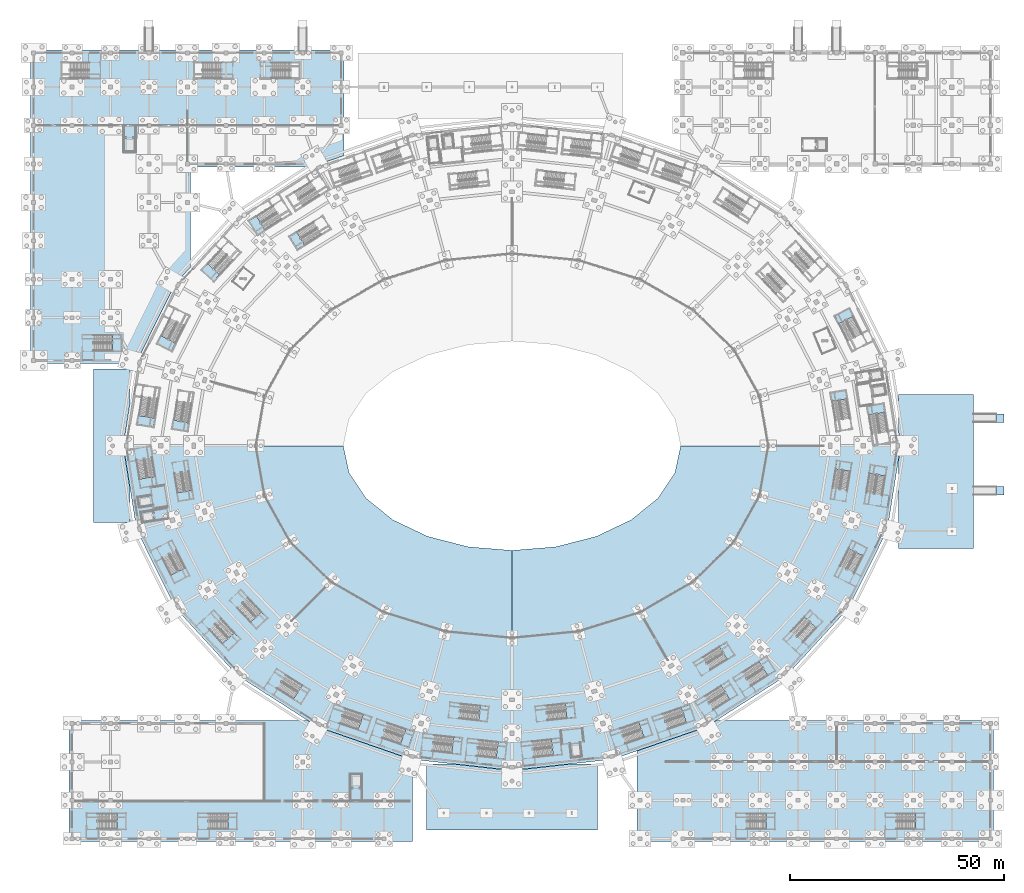
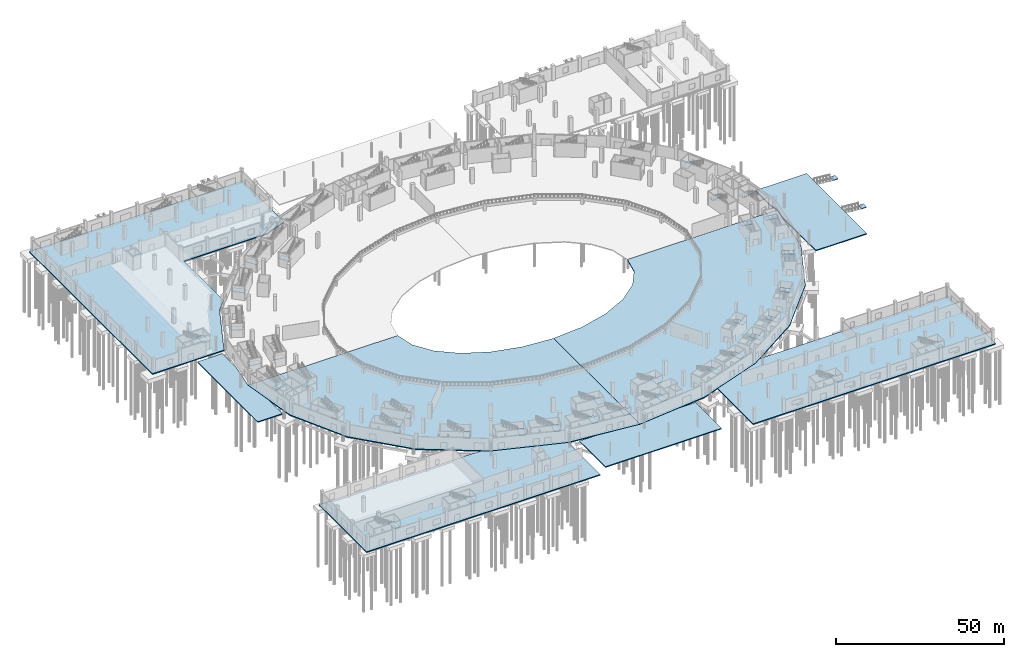
# One storey, part 28 of 103: 46 slabs, 38 elements without a shape of their own.
"""IFC4 building model written with IfcOpenShell, lengths in metres."""

from ifc_helpers import new_model, si_unit, direction, frame, origin, place, context, subcontext, project, spatial, polyline, outline, extrude, material, layer, layer_set, type_object, element, aggregate, save


model = new_model("IFC4")

# Units and contexts
model_context = context("Model", 3, precision=1e-05, world=origin(), true_north=direction((0.0, 1.0)))
body_context = subcontext(model_context, "Body", "Model", "MODEL_VIEW")
ifc_project = project(units=[si_unit("LENGTHUNIT", "METRE"), si_unit("AREAUNIT", "SQUARE_METRE"), si_unit("VOLUMEUNIT", "CUBIC_METRE"), si_unit("PLANEANGLEUNIT", "RADIAN"), si_unit("MASSUNIT", "GRAM", prefix="KILO")], contexts=[model_context])

# Site, building, storey
site_placement = place(None, origin())
site = spatial("IfcSite", under=ifc_project, at=site_placement, CompositionType="ELEMENT")
building_placement = place(site_placement, origin())
building = spatial("IfcBuilding", under=site, at=building_placement, Name="Zevraka Park Crest Stadium", CompositionType="ELEMENT")
storey_placement = place(building_placement, origin())
storey = spatial("IfcBuildingStorey", under=building, at=storey_placement, Name="L00", CompositionType="ELEMENT", Elevation=0.0)

# Slabs
ifc_material_1 = material(Name="Concrete C35/45", Category="concrete")
ifc_layer_1 = layer(ifc_material_1, 0.35009765625)
ifc_layer_set_1 = layer_set([ifc_layer_1], Name="Concrete C35/45")
slab_type_1 = type_object("IfcSlabType", Name="BS01", PredefinedType="BASESLAB", material=ifc_layer_set_1)
slab_1_placement = place(storey_placement, frame((0.0, 0.0, -0.35009765625)))
element("IfcSlab", 1, at=slab_1_placement, inside=storey, type_object=slab_type_1, Name="Bowl Concourse Ring Slab L00 Q3-SW-1", PredefinedType="BASESLAB", context=body_context, shape_type="SweptSolid", body=[
    extrude(outline(polyline([(72.5, 92.0), (73.845947265625, 85.658935546875), (77.7919921875, 79.75), (84.069091796875, 74.676025390625), (92.25, 70.781982421875), (101.777099609375, 68.3349609375), (112.0, 67.5), (112.0, 16.0), (88.447021484375, 18.590087890625), (66.5, 26.181884765625), (47.653076171875, 38.260009765625), (33.19189453125, 54.0), (24.10107421875, 72.330078125), (21.0, 92.0), (72.5, 92.0)])), origin(), (0.0, 0.0, 1.0), 0.35009765625),
])
slab_2_placement = place(storey_placement, frame((0.0, 0.0, -0.35009765625)))
element("IfcSlab", 2, at=slab_2_placement, inside=storey, type_object=slab_type_1, Name="Bowl Concourse Ring Slab L00 Q4-SE-1", PredefinedType="BASESLAB", context=body_context, shape_type="SweptSolid", body=[
    extrude(outline(polyline([(112.0, 67.5), (122.222900390625, 68.3349609375), (131.75, 70.781982421875), (139.930908203125, 74.676025390625), (146.2080078125, 79.75), (150.154052734375, 85.658935546875), (151.5, 92.0), (203.0, 92.0), (199.89892578125, 72.330078125), (190.80810546875, 54.0), (176.346923828125, 38.260009765625), (157.5, 26.181884765625), (135.552978515625, 18.590087890625), (112.0, 16.0), (112.0, 67.5)])), origin(), (0.0, 0.0, 1.0), 0.35009765625),
])
slab_3_placement = place(storey_placement, frame((0.0, 0.0, -0.35009765625)))
element("IfcSlab", 3, at=slab_3_placement, inside=storey, type_object=slab_type_1, Name="Northwest Garden-Court Shaded Veranda and Community Sports Wing Floor Slab L00-1", PredefinedType="BASESLAB", context=body_context, shape_type="SweptSolid", body=[
    extrude(outline(polyline([(-0.699951171875, 111.300048828125), (-0.699951171875, 184.699951171875), (72.699951171875, 184.699951171875), (72.699951171875, 159.968017578125), (66.498046875, 157.822998046875), (65.681884765625, 157.300048828125), (36.699951171875, 157.300048828125), (36.699951171875, 133.825927734375), (33.18798828125, 130.0029296875), (24.096923828125, 111.672119140625), (24.0380859375, 111.300048828125), (-0.699951171875, 111.300048828125)])), origin(), (0.0, 0.0, 1.0), 0.35009765625),
])
ifc_material_2 = material(Name="Concrete C35/45", Category="concrete")
ifc_layer_2 = layer(ifc_material_2, 0.35009765625)
ifc_layer_set_2 = layer_set([ifc_layer_2], Name="Concrete C35/45")
slab_type_2 = type_object("IfcSlabType", Name="BS02", PredefinedType="BASESLAB", material=ifc_layer_set_2)
slab_4_placement = place(storey_placement, frame((0.0, 0.0, -0.35009765625)))
element("IfcSlab", 4, at=slab_4_placement, inside=storey, type_object=slab_type_2, Name="Exterior Arrival Colonnade Plinth APR-L00-EAST", PredefinedType="BASESLAB", context=body_context, shape_type="SweptSolid", body=[
    extrude(outline(polyline([(202.5, 104.0), (220.050048828125, 104.0), (220.050048828125, 68.0), (202.5, 68.0), (202.5, 88.66796875), (203.02490234375, 91.9990234375), (202.5, 95.33203125), (202.5, 104.0)])), origin(), (0.0, 0.0, 1.0), 0.35009765625),
])
slab_5_placement = place(storey_placement, frame((0.0, 0.0, -0.35009765625)))
element("IfcSlab", 5, at=slab_5_placement, inside=storey, type_object=slab_type_2, Name="Exterior Arrival Colonnade Plinth APR-L00-WEST", PredefinedType="BASESLAB", context=body_context, shape_type="SweptSolid", body=[
    extrude(outline(polyline([(22.5, 74.0), (14.0, 74.0), (14.0, 110.0), (22.5, 110.0), (22.5, 101.675048828125), (20.97509765625, 92.0009765625), (22.5, 82.324951171875), (22.5, 74.0)])), origin(), (0.0, 0.0, 1.0), 0.35009765625),
])
slab_6_placement = place(storey_placement, frame((0.0, 0.0, -0.35009765625)))
element("IfcSlab", 6, at=slab_6_placement, inside=storey, type_object=slab_type_2, Name="Exterior Arrival Colonnade Plinth APR-L00-SOUTH", PredefinedType="BASESLAB", context=body_context, shape_type="SweptSolid", body=[
    extrude(outline(polyline([(132.0, 17.5), (132.0, 2.0), (92.0, 2.0), (92.0, 17.5), (98.131103515625, 17.5), (112.0, 15.97509765625), (125.868896484375, 17.5), (132.0, 17.5)])), origin(), (0.0, 0.0, 1.0), 0.35009765625),
])
ifc_material_3 = material(Name="Concrete C35/45", Category="concrete")
ifc_layer_3 = layer(ifc_material_3, 0.320068359375)
ifc_layer_set_3 = layer_set([ifc_layer_3], Name="Concrete C35/45")
slab_type_3 = type_object("IfcSlabType", Name="BS03", PredefinedType="BASESLAB", material=ifc_layer_set_3)
slab_7_placement = place(storey_placement, frame((0.0, 0.0, -0.35009765625)))
element("IfcSlab", 7, at=slab_7_placement, inside=storey, type_object=slab_type_3, Name="South Street Broadcast, Press Auditorium and Central Plant Wing Floor Slab L00-1", PredefinedType="BASESLAB", context=body_context, shape_type="SweptSolid", body=[
    extrude(outline(polyline([(64.1220703125, 27.699951171875), (66.498046875, 26.177001953125), (88.445068359375, 18.5849609375), (88.699951171875, 18.556884765625), (88.699951171875, -0.699951171875), (8.300048828125, -0.699951171875), (8.300048828125, 27.699951171875), (64.1220703125, 27.699951171875)])), origin(), (0.0, 0.0, 1.0), 0.35009765625),
])
slab_8_placement = place(storey_placement, frame((0.0, 0.0, -0.35009765625)))
element("IfcSlab", 8, at=slab_8_placement, inside=storey, type_object=slab_type_3, Name="South Street Broadcast, Press Auditorium and Central Plant Wing Floor Slab L00-2", PredefinedType="BASESLAB", context=body_context, shape_type="SweptSolid", body=[
    extrude(outline(polyline([(224.699951171875, 27.699951171875), (224.699951171875, -0.699951171875), (141.300048828125, -0.699951171875), (141.300048828125, 20.572998046875), (157.501953125, 26.177001953125), (159.8779296875, 27.699951171875), (224.699951171875, 27.699951171875)])), origin(), (0.0, 0.0, 1.0), 0.35009765625),
])

# Stair, slab
ifc_material_4 = material(Name="Concrete C35/45", Category="concrete")
stair_type_1 = type_object("IfcStairType", Name="STA1", PredefinedType="HALF_TURN_STAIR", material=ifc_material_4)
stair_1_placement = place(storey_placement, origin())
stair_1 = element("IfcStair", 9, at=stair_1_placement, inside=storey, type_object=stair_type_1, Name="L00 Protected Concourse Exit Stair ST01", PredefinedType="HALF_TURN_STAIR")
ifc_material_5 = material(Name="Concrete C35/45", Category="concrete")
ifc_layer_4 = layer(ifc_material_5, 0.199951171875)
ifc_layer_set_4 = layer_set([ifc_layer_4], Name="Concrete C35/45")
slab_type_4 = type_object("IfcSlabType", Name="LS01", PredefinedType="LANDING", material=ifc_layer_set_4)
slab_9_placement = place(storey_placement, frame((0.0, 0.0, 2.5)))
slab_9 = element("IfcSlab", 10, at=slab_9_placement, type_object=slab_type_4, Name="ST01 landing 1", PredefinedType="LANDING", context=body_context, shape_type="SweptSolid", body=[
    extrude(outline(polyline([(199.25927734375, 99.808349609375), (198.94482421875, 101.783447265625), (195.2314453125, 101.192138671875), (195.546142578125, 99.217041015625), (199.25927734375, 99.808349609375)])), origin(), (0.0, 0.0, 1.0), 0.199951171875),
])
aggregate(stair_1, [slab_9])

stair_2_placement = place(storey_placement, origin())
stair_2 = element("IfcStair", 11, at=stair_2_placement, inside=storey, type_object=stair_type_1, Name="L00 Protected Concourse Exit Stair ST02", PredefinedType="HALF_TURN_STAIR")
slab_10_placement = place(storey_placement, frame((0.0, 0.0, 2.5)))
slab_10 = element("IfcSlab", 12, at=slab_10_placement, type_object=slab_type_4, Name="ST02 landing 1", PredefinedType="LANDING", context=body_context, shape_type="SweptSolid", body=[
    extrude(outline(polyline([(191.873291015625, 122.26513671875), (190.977294921875, 124.053466796875), (187.61572265625, 122.369140625), (188.511474609375, 120.5810546875), (191.873291015625, 122.26513671875)])), origin(), (0.0, 0.0, 1.0), 0.199951171875),
])
aggregate(stair_2, [slab_10])

stair_3_placement = place(storey_placement, origin())
stair_3 = element("IfcStair", 13, at=stair_3_placement, inside=storey, type_object=stair_type_1, Name="L00 Protected Concourse Exit Stair ST10", PredefinedType="HALF_TURN_STAIR")
slab_11_placement = place(storey_placement, frame((0.0, 0.0, 2.5)))
slab_11 = element("IfcSlab", 14, at=slab_11_placement, type_object=slab_type_4, Name="ST10 landing 1", PredefinedType="LANDING", context=body_context, shape_type="SweptSolid", body=[
    extrude(outline(polyline([(40.787109375, 134.642578125), (39.4267578125, 133.176513671875), (42.1826171875, 130.618896484375), (43.543212890625, 132.084716796875), (40.787109375, 134.642578125)])), origin(), (0.0, 0.0, 1.0), 0.199951171875),
])
aggregate(stair_3, [slab_11])

stair_4_placement = place(storey_placement, origin())
stair_4 = element("IfcStair", 15, at=stair_4_placement, inside=storey, type_object=stair_type_1, Name="L00 Protected Concourse Exit Stair ST11", PredefinedType="HALF_TURN_STAIR")
slab_12_placement = place(storey_placement, frame((0.0, 0.0, 2.5)))
slab_12 = element("IfcSlab", 16, at=slab_12_placement, type_object=slab_type_4, Name="ST11 landing 1", PredefinedType="LANDING", context=body_context, shape_type="SweptSolid", body=[
    extrude(outline(polyline([(29.865234375, 117.750732421875), (28.969482421875, 115.962646484375), (32.3310546875, 114.278564453125), (33.226806640625, 116.066650390625), (29.865234375, 117.750732421875)])), origin(), (0.0, 0.0, 1.0), 0.199951171875),
])
aggregate(stair_4, [slab_12])

stair_5_placement = place(storey_placement, origin())
stair_5 = element("IfcStair", 17, at=stair_5_placement, inside=storey, type_object=stair_type_1, Name="L00 Protected Concourse Exit Stair ST12", PredefinedType="HALF_TURN_STAIR")
slab_13_placement = place(storey_placement, frame((0.0, 0.0, 2.5)))
slab_13 = element("IfcSlab", 18, at=slab_13_placement, type_object=slab_type_4, Name="ST12 landing 1", PredefinedType="LANDING", context=body_context, shape_type="SweptSolid", body=[
    extrude(outline(polyline([(24.622314453125, 99.067626953125), (24.307861328125, 97.092529296875), (28.02099609375, 96.501220703125), (28.33544921875, 98.476318359375), (24.622314453125, 99.067626953125)])), origin(), (0.0, 0.0, 1.0), 0.199951171875),
])
aggregate(stair_5, [slab_13])

stair_6_placement = place(storey_placement, origin())
stair_6 = element("IfcStair", 19, at=stair_6_placement, inside=storey, type_object=stair_type_1, Name="L00 Protected Concourse Exit Stair ST13", PredefinedType="HALF_TURN_STAIR")
slab_14_placement = place(storey_placement, frame((0.0, 0.0, 2.5)))
slab_14 = element("IfcSlab", 20, at=slab_14_placement, type_object=slab_type_4, Name="ST13 landing 1", PredefinedType="LANDING", context=body_context, shape_type="SweptSolid", body=[
    extrude(outline(polyline([(24.74072265625, 84.191650390625), (25.05517578125, 82.216552734375), (28.7685546875, 82.807861328125), (28.453857421875, 84.782958984375), (24.74072265625, 84.191650390625)])), origin(), (0.0, 0.0, 1.0), 0.199951171875),
])
aggregate(stair_6, [slab_14])

stair_7_placement = place(storey_placement, origin())
stair_7 = element("IfcStair", 21, at=stair_7_placement, inside=storey, type_object=stair_type_1, Name="L00 Protected Concourse Exit Stair ST14", PredefinedType="HALF_TURN_STAIR")
slab_15_placement = place(storey_placement, frame((0.0, 0.0, 2.5)))
slab_15 = element("IfcSlab", 22, at=slab_15_placement, type_object=slab_type_4, Name="ST14 landing 1", PredefinedType="LANDING", context=body_context, shape_type="SweptSolid", body=[
    extrude(outline(polyline([(32.126708984375, 61.73486328125), (33.022705078125, 59.946533203125), (36.38427734375, 61.630859375), (35.488525390625, 63.4189453125), (32.126708984375, 61.73486328125)])), origin(), (0.0, 0.0, 1.0), 0.199951171875),
])
aggregate(stair_7, [slab_15])

stair_8_placement = place(storey_placement, origin())
stair_8 = element("IfcStair", 23, at=stair_8_placement, inside=storey, type_object=stair_type_1, Name="L00 Protected Concourse Exit Stair ST15", PredefinedType="HALF_TURN_STAIR")
slab_16_placement = place(storey_placement, frame((0.0, 0.0, 2.5)))
slab_16 = element("IfcSlab", 24, at=slab_16_placement, type_object=slab_type_4, Name="ST15 landing 1", PredefinedType="LANDING", context=body_context, shape_type="SweptSolid", body=[
    extrude(outline(polyline([(44.222900390625, 45.656494140625), (45.583251953125, 44.190673828125), (48.33935546875, 46.748291015625), (46.978759765625, 48.21435546875), (44.222900390625, 45.656494140625)])), origin(), (0.0, 0.0, 1.0), 0.199951171875),
])
aggregate(stair_8, [slab_16])

stair_9_placement = place(storey_placement, origin())
stair_9 = element("IfcStair", 25, at=stair_9_placement, inside=storey, type_object=stair_type_1, Name="L00 Protected Concourse Exit Stair ST16", PredefinedType="HALF_TURN_STAIR")
slab_17_placement = place(storey_placement, frame((0.0, 0.0, 2.5)))
slab_17 = element("IfcSlab", 26, at=slab_17_placement, type_object=slab_type_4, Name="ST16 landing 1", PredefinedType="LANDING", context=body_context, shape_type="SweptSolid", body=[
    extrude(outline(polyline([(60.85693359375, 32.7421875), (62.5458984375, 31.670654296875), (64.56005859375, 34.845703125), (62.871337890625, 35.917236328125), (60.85693359375, 32.7421875)])), origin(), (0.0, 0.0, 1.0), 0.199951171875),
])
aggregate(stair_9, [slab_17])

stair_10_placement = place(storey_placement, origin())
stair_10 = element("IfcStair", 27, at=stair_10_placement, inside=storey, type_object=stair_type_1, Name="L00 Protected Concourse Exit Stair ST17", PredefinedType="HALF_TURN_STAIR")
slab_18_placement = place(storey_placement, frame((0.0, 0.0, 2.5)))
slab_18 = element("IfcSlab", 28, at=slab_18_placement, type_object=slab_type_4, Name="ST17 landing 1", PredefinedType="LANDING", context=body_context, shape_type="SweptSolid", body=[
    extrude(outline(polyline([(75.955810546875, 25.52001953125), (77.847900390625, 24.8720703125), (79.06591796875, 28.42919921875), (77.173828125, 29.0771484375), (75.955810546875, 25.52001953125)])), origin(), (0.0, 0.0, 1.0), 0.199951171875),
])
aggregate(stair_10, [slab_18])

stair_11_placement = place(storey_placement, origin())
stair_11 = element("IfcStair", 29, at=stair_11_placement, inside=storey, type_object=stair_type_1, Name="L00 Protected Concourse Exit Stair ST18", PredefinedType="HALF_TURN_STAIR")
slab_19_placement = place(storey_placement, frame((0.0, 0.0, 2.5)))
slab_19 = element("IfcSlab", 30, at=slab_19_placement, type_object=slab_type_4, Name="ST18 landing 1", PredefinedType="LANDING", context=body_context, shape_type="SweptSolid", body=[
    extrude(outline(polyline([(97.880615234375, 20.046142578125), (99.868896484375, 19.82958984375), (100.275634765625, 23.567626953125), (98.28759765625, 23.783935546875), (97.880615234375, 20.046142578125)])), origin(), (0.0, 0.0, 1.0), 0.199951171875),
])
aggregate(stair_11, [slab_19])

stair_12_placement = place(storey_placement, origin())
stair_12 = element("IfcStair", 31, at=stair_12_placement, inside=storey, type_object=stair_type_1, Name="L00 Protected Concourse Exit Stair ST19", PredefinedType="HALF_TURN_STAIR")
slab_20_placement = place(storey_placement, frame((0.0, 0.0, 2.5)))
slab_20 = element("IfcSlab", 32, at=slab_20_placement, type_object=slab_type_4, Name="ST19 landing 1", PredefinedType="LANDING", context=body_context, shape_type="SweptSolid", body=[
    extrude(outline(polyline([(121.6455078125, 19.558837890625), (123.6337890625, 19.775390625), (123.22705078125, 23.51318359375), (121.23876953125, 23.296875), (121.6455078125, 19.558837890625)])), origin(), (0.0, 0.0, 1.0), 0.199951171875),
])
aggregate(stair_12, [slab_20])

stair_13_placement = place(storey_placement, origin())
stair_13 = element("IfcStair", 33, at=stair_13_placement, inside=storey, type_object=stair_type_1, Name="L00 Protected Concourse Exit Stair ST20", PredefinedType="HALF_TURN_STAIR")
slab_21_placement = place(storey_placement, frame((0.0, 0.0, 2.5)))
slab_21 = element("IfcSlab", 34, at=slab_21_placement, type_object=slab_type_4, Name="ST20 landing 1", PredefinedType="LANDING", context=body_context, shape_type="SweptSolid", body=[
    extrude(outline(polyline([(142.8876953125, 23.755126953125), (144.77978515625, 24.403076171875), (143.561767578125, 27.960205078125), (141.669677734375, 27.312255859375), (142.8876953125, 23.755126953125)])), origin(), (0.0, 0.0, 1.0), 0.199951171875),
])
aggregate(stair_13, [slab_21])

stair_14_placement = place(storey_placement, origin())
stair_14 = element("IfcStair", 35, at=stair_14_placement, inside=storey, type_object=stair_type_1, Name="L00 Protected Concourse Exit Stair ST21", PredefinedType="HALF_TURN_STAIR")
slab_22_placement = place(storey_placement, frame((0.0, 0.0, 2.5)))
slab_22 = element("IfcSlab", 36, at=slab_22_placement, type_object=slab_type_4, Name="ST21 landing 1", PredefinedType="LANDING", context=body_context, shape_type="SweptSolid", body=[
    extrude(outline(polyline([(162.97412109375, 32.634765625), (164.662841796875, 33.706298828125), (162.6484375, 36.881103515625), (160.959716796875, 35.809814453125), (162.97412109375, 32.634765625)])), origin(), (0.0, 0.0, 1.0), 0.199951171875),
])
aggregate(stair_14, [slab_22])

stair_15_placement = place(storey_placement, origin())
stair_15 = element("IfcStair", 37, at=stair_15_placement, inside=storey, type_object=stair_type_1, Name="L00 Protected Concourse Exit Stair ST22", PredefinedType="HALF_TURN_STAIR")
slab_23_placement = place(storey_placement, frame((0.0, 0.0, 2.5)))
slab_23 = element("IfcSlab", 38, at=slab_23_placement, type_object=slab_type_4, Name="ST22 landing 1", PredefinedType="LANDING", context=body_context, shape_type="SweptSolid", body=[
    extrude(outline(polyline([(183.212890625, 49.357421875), (184.5732421875, 50.823486328125), (181.8173828125, 53.381103515625), (180.456787109375, 51.915283203125), (183.212890625, 49.357421875)])), origin(), (0.0, 0.0, 1.0), 0.199951171875),
])
aggregate(stair_15, [slab_23])

stair_16_placement = place(storey_placement, origin())
stair_16 = element("IfcStair", 39, at=stair_16_placement, inside=storey, type_object=stair_type_1, Name="L00 Protected Concourse Exit Stair ST23", PredefinedType="HALF_TURN_STAIR")
slab_24_placement = place(storey_placement, frame((0.0, 0.0, 2.5)))
slab_24 = element("IfcSlab", 40, at=slab_24_placement, type_object=slab_type_4, Name="ST23 landing 1", PredefinedType="LANDING", context=body_context, shape_type="SweptSolid", body=[
    extrude(outline(polyline([(194.134765625, 66.249267578125), (195.030517578125, 68.037353515625), (191.6689453125, 69.721435546875), (190.773193359375, 67.933349609375), (194.134765625, 66.249267578125)])), origin(), (0.0, 0.0, 1.0), 0.199951171875),
])
aggregate(stair_16, [slab_24])

stair_17_placement = place(storey_placement, origin())
stair_17 = element("IfcStair", 41, at=stair_17_placement, inside=storey, type_object=stair_type_1, Name="L00 Protected Concourse Exit Stair ST24", PredefinedType="HALF_TURN_STAIR")
slab_25_placement = place(storey_placement, frame((0.0, 0.0, 2.5)))
slab_25 = element("IfcSlab", 42, at=slab_25_placement, type_object=slab_type_4, Name="ST24 landing 1", PredefinedType="LANDING", context=body_context, shape_type="SweptSolid", body=[
    extrude(outline(polyline([(199.377685546875, 84.932373046875), (199.692138671875, 86.907470703125), (195.97900390625, 87.498779296875), (195.66455078125, 85.523681640625), (199.377685546875, 84.932373046875)])), origin(), (0.0, 0.0, 1.0), 0.199951171875),
])
aggregate(stair_17, [slab_25])

stair_18_placement = place(storey_placement, origin())
stair_18 = element("IfcStair", 43, at=stair_18_placement, inside=storey, type_object=stair_type_1, Name="L00 Protected Paired Concourse Exit Stair ST28", PredefinedType="HALF_TURN_STAIR")
slab_26_placement = place(storey_placement, frame((0.0, 0.0, 2.5)))
slab_26 = element("IfcSlab", 44, at=slab_26_placement, type_object=slab_type_4, Name="ST28 landing 1", PredefinedType="LANDING", context=body_context, shape_type="SweptSolid", body=[
    extrude(outline(polyline([(52.159912109375, 145.740234375), (50.47119140625, 144.668701171875), (52.485595703125, 141.493896484375), (54.17431640625, 142.565185546875), (52.159912109375, 145.740234375)])), origin(), (0.0, 0.0, 1.0), 0.199951171875),
])
aggregate(stair_18, [slab_26])

stair_19_placement = place(storey_placement, origin())
stair_19 = element("IfcStair", 45, at=stair_19_placement, inside=storey, type_object=stair_type_1, Name="L00 Protected Paired Concourse Exit Stair ST29", PredefinedType="HALF_TURN_STAIR")
slab_27_placement = place(storey_placement, frame((0.0, 0.0, 2.5)))
slab_27 = element("IfcSlab", 46, at=slab_27_placement, type_object=slab_type_4, Name="ST29 landing 1", PredefinedType="LANDING", context=body_context, shape_type="SweptSolid", body=[
    extrude(outline(polyline([(85.8896484375, 22.118896484375), (87.781982421875, 21.470947265625), (89.0, 25.0283203125), (87.10791015625, 25.67626953125), (85.8896484375, 22.118896484375)])), origin(), (0.0, 0.0, 1.0), 0.199951171875),
])
aggregate(stair_19, [slab_27])

stair_20_placement = place(storey_placement, origin())
stair_20 = element("IfcStair", 47, at=stair_20_placement, inside=storey, type_object=stair_type_1, Name="L00 Protected Paired Concourse Exit Stair ST30", PredefinedType="HALF_TURN_STAIR")
slab_28_placement = place(storey_placement, frame((0.0, 0.0, 2.5)))
slab_28 = element("IfcSlab", 48, at=slab_28_placement, type_object=slab_type_4, Name="ST30 landing 1", PredefinedType="LANDING", context=body_context, shape_type="SweptSolid", body=[
    extrude(outline(polyline([(108.318603515625, 18.91015625), (110.306884765625, 18.693603515625), (110.713623046875, 22.431640625), (108.7255859375, 22.64794921875), (108.318603515625, 18.91015625)])), origin(), (0.0, 0.0, 1.0), 0.199951171875),
])
aggregate(stair_20, [slab_28])

stair_21_placement = place(storey_placement, origin())
stair_21 = element("IfcStair", 49, at=stair_21_placement, inside=storey, type_object=stair_type_1, Name="L00 Protected Paired Concourse Exit Stair ST31", PredefinedType="HALF_TURN_STAIR")
slab_29_placement = place(storey_placement, frame((0.0, 0.0, 2.5)))
slab_29 = element("IfcSlab", 50, at=slab_29_placement, type_object=slab_type_4, Name="ST31 landing 1", PredefinedType="LANDING", context=body_context, shape_type="SweptSolid", body=[
    extrude(outline(polyline([(152.82177734375, 27.156005859375), (154.7138671875, 27.803955078125), (153.495849609375, 31.361083984375), (151.603515625, 30.713134765625), (152.82177734375, 27.156005859375)])), origin(), (0.0, 0.0, 1.0), 0.199951171875),
])
aggregate(stair_21, [slab_29])

stair_22_placement = place(storey_placement, origin())
stair_22 = element("IfcStair", 51, at=stair_22_placement, inside=storey, type_object=stair_type_1, Name="L00 Protected Paired Concourse Exit Stair ST32", PredefinedType="HALF_TURN_STAIR")
slab_30_placement = place(storey_placement, frame((0.0, 0.0, 2.5)))
slab_30 = element("IfcSlab", 52, at=slab_30_placement, type_object=slab_type_4, Name="ST32 landing 1", PredefinedType="LANDING", context=body_context, shape_type="SweptSolid", body=[
    extrude(outline(polyline([(171.840087890625, 38.259765625), (173.52880859375, 39.331298828125), (171.514404296875, 42.506103515625), (169.82568359375, 41.434814453125), (171.840087890625, 38.259765625)])), origin(), (0.0, 0.0, 1.0), 0.199951171875),
])
aggregate(stair_22, [slab_30])

ifc_material_6 = material(Name="Concrete C35/45", Category="concrete")
stair_type_2 = type_object("IfcStairType", Name="STB1", PredefinedType="HALF_TURN_STAIR", material=ifc_material_6)
stair_23_placement = place(storey_placement, origin())
stair_23 = element("IfcStair", 53, at=stair_23_placement, inside=storey, type_object=stair_type_2, Name="L00 Protected Concourse Relief Stair ST33", PredefinedType="HALF_TURN_STAIR")
slab_31_placement = place(storey_placement, frame((0.0, 0.0, 2.5)))
slab_31 = element("IfcSlab", 54, at=slab_31_placement, type_object=slab_type_4, Name="ST33 landing 1", PredefinedType="LANDING", context=body_context, shape_type="SweptSolid", body=[
    extrude(outline(polyline([(190.365966796875, 102.97509765625), (190.052734375, 104.899658203125), (186.6376953125, 104.343505859375), (186.950927734375, 102.4189453125), (190.365966796875, 102.97509765625)])), origin(), (0.0, 0.0, 1.0), 0.199951171875),
])
aggregate(stair_23, [slab_31])

stair_24_placement = place(storey_placement, origin())
stair_24 = element("IfcStair", 55, at=stair_24_placement, inside=storey, type_object=stair_type_2, Name="L00 Protected Concourse Relief Stair ST37", PredefinedType="HALF_TURN_STAIR")
slab_32_placement = place(storey_placement, frame((0.0, 0.0, 2.5)))
slab_32 = element("IfcSlab", 56, at=slab_32_placement, type_object=slab_type_4, Name="ST37 landing 1", PredefinedType="LANDING", context=body_context, shape_type="SweptSolid", body=[
    extrude(outline(polyline([(61.624267578125, 142.008056640625), (59.96728515625, 140.97998046875), (61.791748046875, 138.0400390625), (63.448486328125, 139.068115234375), (61.624267578125, 142.008056640625)])), origin(), (0.0, 0.0, 1.0), 0.199951171875),
])
aggregate(stair_24, [slab_32])

stair_25_placement = place(storey_placement, origin())
stair_25 = element("IfcStair", 57, at=stair_25_placement, inside=storey, type_object=stair_type_2, Name="L00 Protected Concourse Relief Stair ST38", PredefinedType="HALF_TURN_STAIR")
slab_33_placement = place(storey_placement, frame((0.0, 0.0, 2.5)))
slab_33 = element("IfcSlab", 58, at=slab_33_placement, type_object=slab_type_4, Name="ST38 landing 1", PredefinedType="LANDING", context=body_context, shape_type="SweptSolid", body=[
    extrude(outline(polyline([(32.822998046875, 97.990966796875), (32.509765625, 96.06640625), (35.9248046875, 95.51025390625), (36.238037109375, 97.43505859375), (32.822998046875, 97.990966796875)])), origin(), (0.0, 0.0, 1.0), 0.199951171875),
])
aggregate(stair_25, [slab_33])

stair_26_placement = place(storey_placement, origin())
stair_26 = element("IfcStair", 59, at=stair_26_placement, inside=storey, type_object=stair_type_2, Name="L00 Protected Concourse Relief Stair ST39", PredefinedType="HALF_TURN_STAIR")
slab_34_placement = place(storey_placement, frame((0.0, 0.0, 2.5)))
slab_34 = element("IfcSlab", 60, at=slab_34_placement, type_object=slab_type_4, Name="ST39 landing 1", PredefinedType="LANDING", context=body_context, shape_type="SweptSolid", body=[
    extrude(outline(polyline([(33.634033203125, 81.02490234375), (33.947265625, 79.100341796875), (37.3623046875, 79.656494140625), (37.049072265625, 81.5810546875), (33.634033203125, 81.02490234375)])), origin(), (0.0, 0.0, 1.0), 0.199951171875),
])
aggregate(stair_26, [slab_34])

stair_27_placement = place(storey_placement, origin())
stair_27 = element("IfcStair", 61, at=stair_27_placement, inside=storey, type_object=stair_type_2, Name="L00 Protected Concourse Relief Stair ST40", PredefinedType="HALF_TURN_STAIR")
slab_35_placement = place(storey_placement, frame((0.0, 0.0, 2.5)))
slab_35 = element("IfcSlab", 62, at=slab_35_placement, type_object=slab_type_4, Name="ST40 landing 1", PredefinedType="LANDING", context=body_context, shape_type="SweptSolid", body=[
    extrude(outline(polyline([(50.81640625, 50.712158203125), (52.158447265625, 49.297607421875), (54.66845703125, 51.67919921875), (53.326171875, 53.09375), (50.81640625, 50.712158203125)])), origin(), (0.0, 0.0, 1.0), 0.199951171875),
])
aggregate(stair_27, [slab_35])

stair_28_placement = place(storey_placement, origin())
stair_28 = element("IfcStair", 63, at=stair_28_placement, inside=storey, type_object=stair_type_2, Name="L00 Protected Concourse Relief Stair ST41", PredefinedType="HALF_TURN_STAIR")
slab_36_placement = place(storey_placement, frame((0.0, 0.0, 2.5)))
slab_36 = element("IfcSlab", 64, at=slab_36_placement, type_object=slab_type_4, Name="ST41 landing 1", PredefinedType="LANDING", context=body_context, shape_type="SweptSolid", body=[
    extrude(outline(polyline([(104.181640625, 27.692138671875), (106.12060546875, 27.485595703125), (106.487060546875, 30.92626953125), (104.5478515625, 31.132568359375), (104.181640625, 27.692138671875)])), origin(), (0.0, 0.0, 1.0), 0.199951171875),
])
aggregate(stair_28, [slab_36])

stair_29_placement = place(storey_placement, origin())
stair_29 = element("IfcStair", 65, at=stair_29_placement, inside=storey, type_object=stair_type_2, Name="L00 Protected Concourse Relief Stair ST42", PredefinedType="HALF_TURN_STAIR")
slab_37_placement = place(storey_placement, frame((0.0, 0.0, 2.5)))
slab_37 = element("IfcSlab", 66, at=slab_37_placement, type_object=slab_type_4, Name="ST42 landing 1", PredefinedType="LANDING", context=body_context, shape_type="SweptSolid", body=[
    extrude(outline(polyline([(124.839599609375, 28.22705078125), (126.77880859375, 28.433349609375), (126.412353515625, 31.8740234375), (124.473388671875, 31.66748046875), (124.839599609375, 28.22705078125)])), origin(), (0.0, 0.0, 1.0), 0.199951171875),
])
aggregate(stair_29, [slab_37])

stair_30_placement = place(storey_placement, origin())
stair_30 = element("IfcStair", 67, at=stair_30_placement, inside=storey, type_object=stair_type_2, Name="L00 Protected Concourse Relief Stair ST43", PredefinedType="HALF_TURN_STAIR")
slab_38_placement = place(storey_placement, frame((0.0, 0.0, 2.5)))
slab_38 = element("IfcSlab", 68, at=slab_38_placement, type_object=slab_type_4, Name="ST43 landing 1", PredefinedType="LANDING", context=body_context, shape_type="SweptSolid", body=[
    extrude(outline(polyline([(162.375732421875, 41.991943359375), (164.03271484375, 43.02001953125), (162.208251953125, 45.9599609375), (160.551513671875, 44.931884765625), (162.375732421875, 41.991943359375)])), origin(), (0.0, 0.0, 1.0), 0.199951171875),
])
aggregate(stair_30, [slab_38])

stair_31_placement = place(storey_placement, origin())
stair_31 = element("IfcStair", 69, at=stair_31_placement, inside=storey, type_object=stair_type_2, Name="L00 Protected Concourse Relief Stair ST44", PredefinedType="HALF_TURN_STAIR")
slab_39_placement = place(storey_placement, frame((0.0, 0.0, 2.5)))
slab_39 = element("IfcSlab", 70, at=slab_39_placement, type_object=slab_type_4, Name="ST44 landing 1", PredefinedType="LANDING", context=body_context, shape_type="SweptSolid", body=[
    extrude(outline(polyline([(191.177001953125, 86.009033203125), (191.490234375, 87.93359375), (188.0751953125, 88.48974609375), (187.761962890625, 86.56494140625), (191.177001953125, 86.009033203125)])), origin(), (0.0, 0.0, 1.0), 0.199951171875),
])
aggregate(stair_31, [slab_39])

ifc_material_7 = material(Name="Concrete C35/45", Category="concrete")
stair_type_3 = type_object("IfcStairType", Name="STC1", PredefinedType="HALF_TURN_STAIR", material=ifc_material_7)
stair_32_placement = place(storey_placement, origin())
stair_32 = element("IfcStair", 71, at=stair_32_placement, inside=storey, type_object=stair_type_3, Name="L00 NW Veranda Wing South-West Stair ST48", PredefinedType="HALF_TURN_STAIR")
slab_40_placement = place(storey_placement, frame((0.0, 0.0, 2.5)))
slab_40 = element("IfcSlab", 72, at=slab_40_placement, type_object=slab_type_4, Name="ST48 landing 1", PredefinedType="LANDING", context=body_context, shape_type="SweptSolid", body=[
    extrude(outline(polyline([(18.5, 114.25), (20.5, 114.25), (20.5, 117.909912109375), (18.5, 117.909912109375), (18.5, 114.25)])), origin(), (0.0, 0.0, 1.0), 0.199951171875),
])
aggregate(stair_32, [slab_40])

stair_33_placement = place(storey_placement, origin())
stair_33 = element("IfcStair", 73, at=stair_33_placement, inside=storey, type_object=stair_type_3, Name="L00 South Broadcast Wing West Stair ST51", PredefinedType="HALF_TURN_STAIR")
slab_41_placement = place(storey_placement, frame((0.0, 0.0, 2.5)))
slab_41 = element("IfcSlab", 74, at=slab_41_placement, type_object=slab_type_4, Name="ST51 landing 1", PredefinedType="LANDING", context=body_context, shape_type="SweptSolid", body=[
    extrude(outline(polyline([(19.5, 2.25), (21.5, 2.25), (21.5, 5.909912109375), (19.5, 5.909912109375), (19.5, 2.25)])), origin(), (0.0, 0.0, 1.0), 0.199951171875),
])
aggregate(stair_33, [slab_41])

stair_34_placement = place(storey_placement, origin())
stair_34 = element("IfcStair", 75, at=stair_34_placement, inside=storey, type_object=stair_type_3, Name="L00 South Broadcast Wing East Stair ST52", PredefinedType="HALF_TURN_STAIR")
slab_42_placement = place(storey_placement, frame((0.0, 0.0, 2.5)))
slab_42 = element("IfcSlab", 76, at=slab_42_placement, type_object=slab_type_4, Name="ST52 landing 1", PredefinedType="LANDING", context=body_context, shape_type="SweptSolid", body=[
    extrude(outline(polyline([(45.5, 2.25), (47.5, 2.25), (47.5, 5.909912109375), (45.5, 5.909912109375), (45.5, 2.25)])), origin(), (0.0, 0.0, 1.0), 0.199951171875),
])
aggregate(stair_34, [slab_42])

stair_35_placement = place(storey_placement, origin())
stair_35 = element("IfcStair", 77, at=stair_35_placement, inside=storey, type_object=stair_type_3, Name="L00 Southeast Plant Wing West Stair ST53", PredefinedType="HALF_TURN_STAIR")
slab_43_placement = place(storey_placement, frame((0.0, 0.0, 2.5)))
slab_43 = element("IfcSlab", 78, at=slab_43_placement, type_object=slab_type_4, Name="ST53 landing 1", PredefinedType="LANDING", context=body_context, shape_type="SweptSolid", body=[
    extrude(outline(polyline([(171.5, 2.25), (173.5, 2.25), (173.5, 5.909912109375), (171.5, 5.909912109375), (171.5, 2.25)])), origin(), (0.0, 0.0, 1.0), 0.199951171875),
])
aggregate(stair_35, [slab_43])

stair_36_placement = place(storey_placement, origin())
stair_36 = element("IfcStair", 79, at=stair_36_placement, inside=storey, type_object=stair_type_3, Name="L00 Southeast Plant Wing East Stair ST54", PredefinedType="HALF_TURN_STAIR")
slab_44_placement = place(storey_placement, frame((0.0, 0.0, 2.5)))
slab_44 = element("IfcSlab", 80, at=slab_44_placement, type_object=slab_type_4, Name="ST54 landing 1", PredefinedType="LANDING", context=body_context, shape_type="SweptSolid", body=[
    extrude(outline(polyline([(206.5, 2.25), (208.5, 2.25), (208.5, 5.909912109375), (206.5, 5.909912109375), (206.5, 2.25)])), origin(), (0.0, 0.0, 1.0), 0.199951171875),
])
aggregate(stair_36, [slab_44])

# Ramp, slab
ifc_material_8 = material(Name="Concrete C35/45", Category="concrete")
ramp_type = type_object("IfcRampType", Name="RMP01", PredefinedType="STRAIGHT_RUN_RAMP", material=ifc_material_8)
ramp_1_placement = place(storey_placement, origin())
ramp_1 = element("IfcRamp", 81, at=ramp_1_placement, inside=storey, type_object=ramp_type, Name="Accessible Step-Free Pedestrian Ramp RM01", PredefinedType="STRAIGHT_RUN_RAMP")
ifc_material_9 = material(Name="Concrete C35/45", Category="concrete")
ifc_layer_5 = layer(ifc_material_9, 0.179931640625)
ifc_layer_set_5 = layer_set([ifc_layer_5], Name="Concrete C35/45")
slab_type_5 = type_object("IfcSlabType", Name="LS02", PredefinedType="LANDING", material=ifc_layer_set_5)
slab_45_placement = place(storey_placement, frame((0.0, 0.0, -0.6298828125)))
slab_45 = element("IfcSlab", 82, at=slab_45_placement, type_object=slab_type_5, Name="Accessible Ramp Bottom Landing RM01", PredefinedType="LANDING", context=body_context, shape_type="SweptSolid", body=[
    extrude(outline(polyline([(227.199951171875, 82.5), (225.3701171875, 82.5), (225.3701171875, 80.5), (227.199951171875, 80.5), (227.199951171875, 82.5)])), origin(), (0.0, 0.0, 1.0), 0.179931640625),
])
aggregate(ramp_1, [slab_45])

ramp_2_placement = place(storey_placement, origin())
ramp_2 = element("IfcRamp", 83, at=ramp_2_placement, inside=storey, type_object=ramp_type, Name="Accessible Step-Free Pedestrian Ramp RM02", PredefinedType="STRAIGHT_RUN_RAMP")
slab_46_placement = place(storey_placement, frame((0.0, 0.0, -0.6298828125)))
slab_46 = element("IfcSlab", 84, at=slab_46_placement, type_object=slab_type_5, Name="Accessible Ramp Bottom Landing RM02", PredefinedType="LANDING", context=body_context, shape_type="SweptSolid", body=[
    extrude(outline(polyline([(227.199951171875, 99.5), (225.3701171875, 99.5), (225.3701171875, 97.5), (227.199951171875, 97.5), (227.199951171875, 99.5)])), origin(), (0.0, 0.0, 1.0), 0.179931640625),
])
aggregate(ramp_2, [slab_46])

save(model, "model.ifc")
